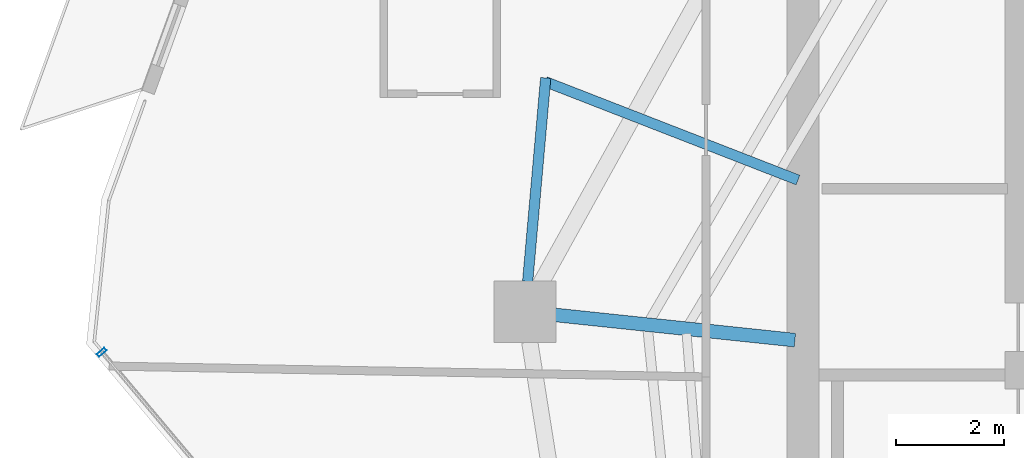
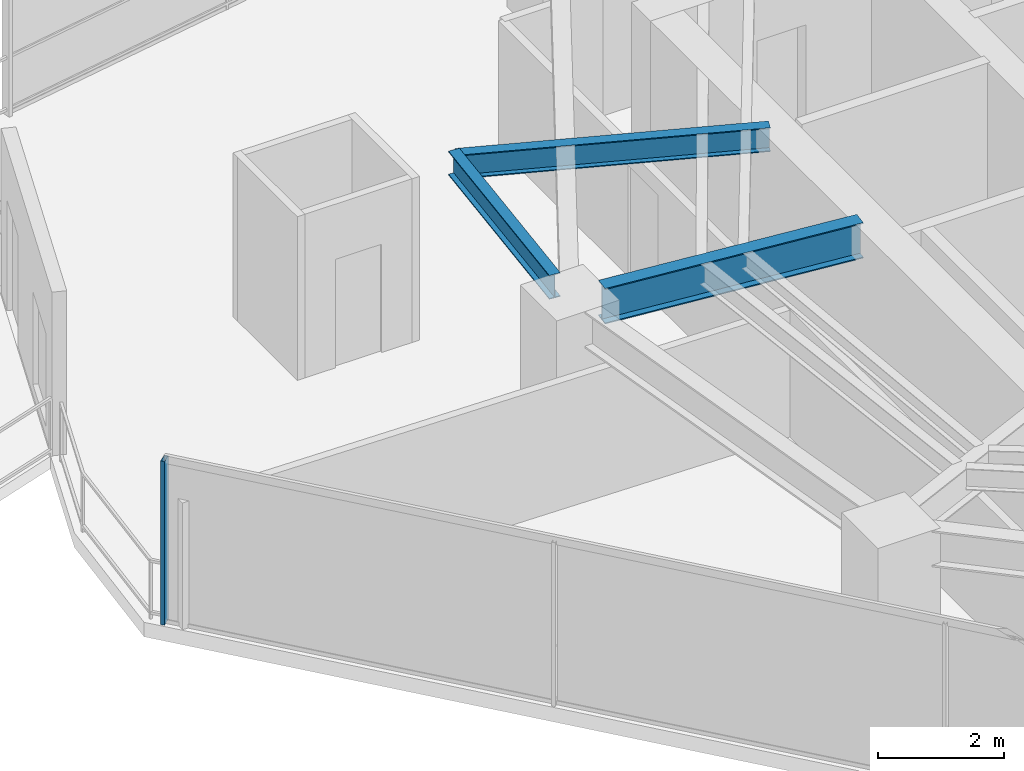
# One storey, part 9 of 27: 3 beams, 1 member, 1 element without a shape of its own.
"""IFC4 building model written with IfcOpenShell, lengths in metres."""

from ifc_helpers import new_model, si_unit, direction, frame, origin, origin_2d, place, context, subcontext, project, spatial, hollow_rectangle, i_section, extrude, material, layer, layer_set, material_profile, profile_set, type_object, element, aggregate, save


model = new_model("IFC4")

# Units and contexts
model_context = context("Model", 3, precision=1e-05, world=origin(), true_north=direction((0.0, 1.0)))
body_context = subcontext(model_context, "Body", "Model", "MODEL_VIEW")
ifc_project = project(units=[si_unit("LENGTHUNIT", "METRE"), si_unit("AREAUNIT", "SQUARE_METRE"), si_unit("VOLUMEUNIT", "CUBIC_METRE"), si_unit("PLANEANGLEUNIT", "RADIAN"), si_unit("MASSUNIT", "GRAM", prefix="KILO")], contexts=[model_context])

# Site, building, storey
site_placement = place(None, origin())
site = spatial("IfcSite", under=ifc_project, at=site_placement, CompositionType="ELEMENT")
building_placement = place(site_placement, origin())
building = spatial("IfcBuilding", under=site, at=building_placement, Name="Qarnah Convention Tower", CompositionType="ELEMENT")
storey_placement = place(building_placement, frame((0.0, 0.0, 103.949951171875)))
storey = spatial("IfcBuildingStorey", under=building, at=storey_placement, Name="L27", CompositionType="ELEMENT", Elevation=103.949951171875)

# Beams
ifc_material_1 = material(Name="Structural steel S355JR", Category="steel")
ifc_material_profile_1 = material_profile(ifc_material_1, i_section(OverallWidth=0.19189453125, OverallDepth=0.464111328125, WebThickness=0.010986328125, FlangeThickness=0.01806640625, at=origin_2d()), Name="W460X89")
ifc_profile_set_1 = profile_set([ifc_material_profile_1], Name="Structural steel S355JR")
beam_type_1 = type_object("IfcBeamType", Name="BM-CANT-W460A", PredefinedType="BEAM", material=ifc_profile_set_1)
beam_1_placement = place(storey_placement, frame((26.70703125, 30.48291015625, 2.93798828125), z_axis=(-0.93184170275, 0.362865045183, 0.0), x_axis=(-0.362865045183, -0.93184170275, 0.0)))
element("IfcBeam", 1, at=beam_1_placement, inside=storey, type_object=beam_type_1, Name="L27 beam BM-L27-CNT-02-1", PredefinedType="BEAM", context=body_context, shape_type="SweptSolid", body=[
    extrude(i_section(OverallWidth=0.19189453125, OverallDepth=0.464111328125, WebThickness=0.010986328125, FlangeThickness=0.01806640625, at=origin_2d()), origin(), (0.0, 0.0, 1.0), 5.035400390625),
])
beam_2_placement = place(storey_placement, frame((22.02099609375, 32.3798828125, 2.93798828125), z_axis=(-0.088250477094, -0.996098315074, 0.0), x_axis=(0.996098315074, -0.088250477094, 0.0)))
element("IfcBeam", 2, at=beam_2_placement, inside=storey, type_object=beam_type_1, Name="L27 spandrel BM-L27-CTIE-02", PredefinedType="SPANDREL", context=body_context, shape_type="SweptSolid", body=[
    extrude(i_section(OverallWidth=0.19189453125, OverallDepth=0.464111328125, WebThickness=0.010986328125, FlangeThickness=0.01806640625, at=origin_2d()), origin(), (0.0, 0.0, 1.0), 3.795654296875),
])
ifc_material_profile_2 = material_profile(ifc_material_1, i_section(OverallWidth=0.25390625, OverallDepth=0.68798828125, WebThickness=0.012939453125, FlangeThickness=0.02099609375, at=origin_2d()), Name="W690X152")
ifc_profile_set_2 = profile_set([ifc_material_profile_2], Name="Structural steel S355JR")
beam_type_2 = type_object("IfcBeamType", Name="BM-RAD-W690", PredefinedType="BEAM", material=ifc_profile_set_2)
beam_3_placement = place(storey_placement, frame((26.65087890625, 27.509033203125, 2.825927734375), z_axis=(-0.994523622606, 0.104512028393, 0.0), x_axis=(-0.104512028393, -0.994523622606, 0.0)))
element("IfcBeam", 3, at=beam_3_placement, inside=storey, type_object=beam_type_2, Name="L27 beam BM-L27-RAD-05", PredefinedType="BEAM", context=body_context, shape_type="SweptSolid", body=[
    extrude(i_section(OverallWidth=0.25390625, OverallDepth=0.68798828125, WebThickness=0.012939453125, FlangeThickness=0.02099609375, at=origin_2d()), origin(), (0.0, 0.0, 1.0), 4.487548828125),
])

# Curtain wall, member
ifc_material_2 = material(Name="Tempered Low-E dark glass", Category="glass")
ifc_layer = layer(ifc_material_2, 0.169921875)
ifc_layer_set = layer_set([ifc_layer], Name="Tempered Low-E dark glass")
curtain_wall_type = type_object("IfcCurtainWallType", Name="CWS-02", PredefinedType="NOTDEFINED", material=ifc_layer_set)
curtain_wall_placement = place(storey_placement, origin())
curtain_wall = element("IfcCurtainWall", 4, at=curtain_wall_placement, inside=storey, type_object=curtain_wall_type, Name="L27 unitised curtain wall CW-L27-F1", PredefinedType="NOTDEFINED")
ifc_material_3 = material(Name="Black anodised aluminium", Category="aluminium")
ifc_material_profile_3 = material_profile(ifc_material_3, hollow_rectangle(XDim=0.06494140625, YDim=0.179931640625, WallThickness=0.00390625, at=origin_2d()), Name="MUL-65X180")
ifc_profile_set_3 = profile_set([ifc_material_profile_3], Name="Black anodised aluminium")
member_type = type_object("IfcMemberType", Name="MUL-T2", PredefinedType="MULLION", material=ifc_profile_set_3)
member_placement = place(storey_placement, frame((13.77490234375, 27.283935546875, 0.0), z_axis=(0.0, 0.0, 1.0), x_axis=(-0.643878016017, 0.76512815952, 0.0)))
member = element("IfcMember", 5, at=member_placement, type_object=member_type, Name="CW-L27-F1 mullion 6", PredefinedType="MULLION", context=body_context, shape_type="SweptSolid", body=[
    extrude(hollow_rectangle(XDim=0.06494140625, YDim=0.179931640625, WallThickness=0.00390625, at=origin_2d()), origin(), (0.0, 0.0, 1.0), 3.170166015625),
])
aggregate(curtain_wall, [member])

save(model, "model.ifc")
